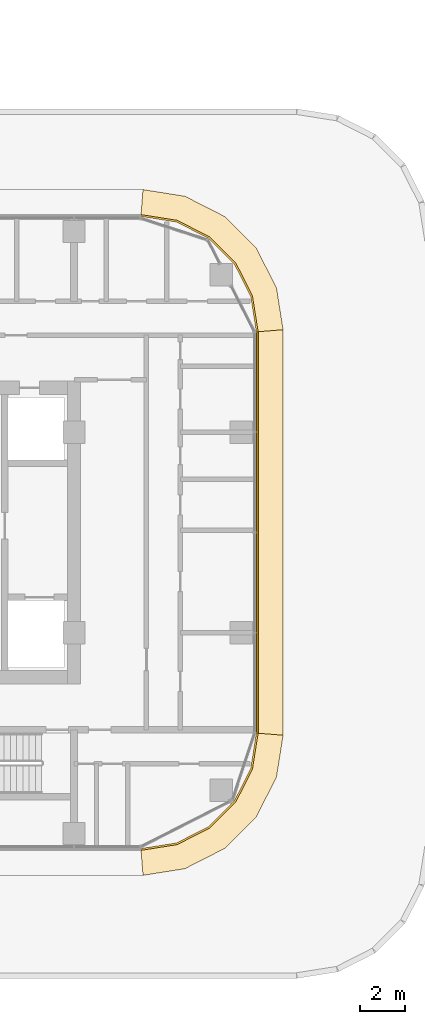
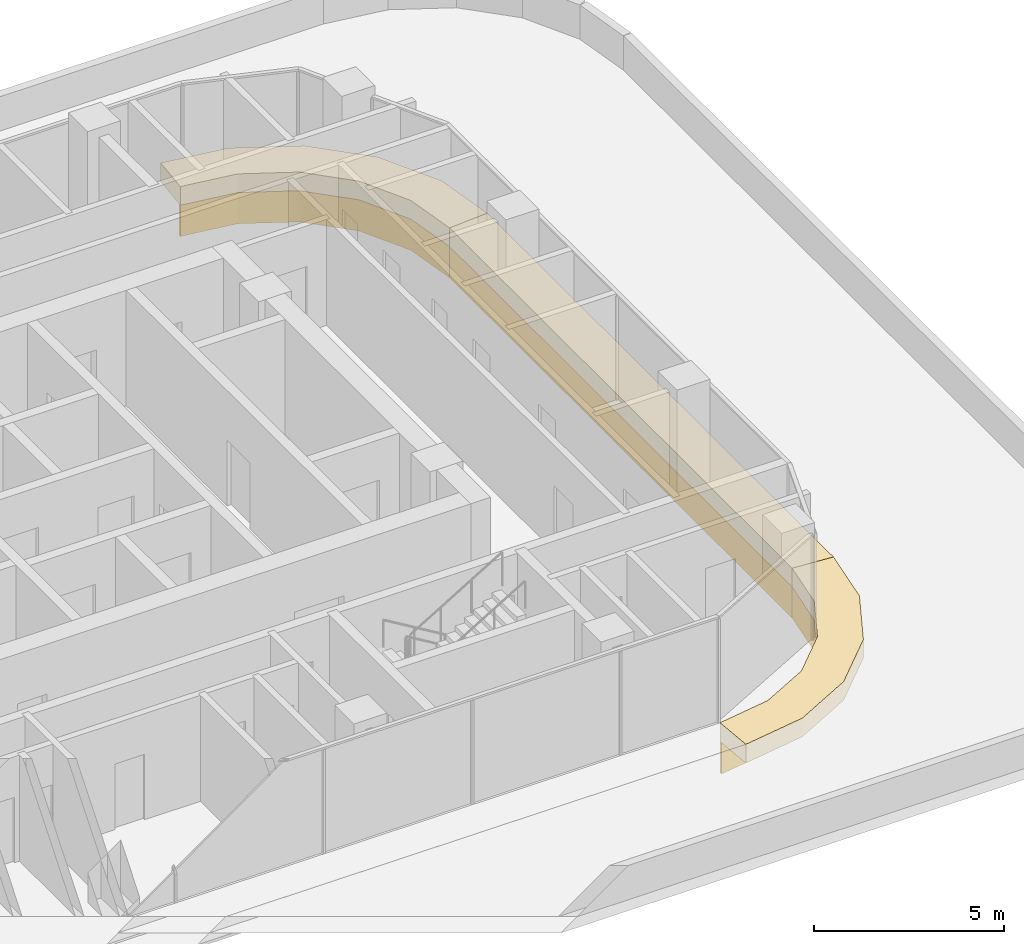
# One storey, part 47 of 51: 6 coverings.
"""IFC4 building model written with IfcOpenShell, lengths in metres."""

from ifc_helpers import new_model, si_unit, direction, frame, origin, place, context, subcontext, project, spatial, polyline, outline, extrude, material, layer, layer_set, type_object, element, save


model = new_model("IFC4")

# Units and contexts
model_context = context("Model", 3, precision=1e-05, world=origin(), true_north=direction((0.0, 1.0)))
body_context = subcontext(model_context, "Body", "Model", "MODEL_VIEW")
ifc_project = project(units=[si_unit("LENGTHUNIT", "METRE"), si_unit("AREAUNIT", "SQUARE_METRE"), si_unit("VOLUMEUNIT", "CUBIC_METRE"), si_unit("PLANEANGLEUNIT", "RADIAN"), si_unit("MASSUNIT", "GRAM", prefix="KILO")], contexts=[model_context])

# Site, building, storey
site_placement = place(None, origin())
site = spatial("IfcSite", under=ifc_project, at=site_placement, CompositionType="ELEMENT")
building_placement = place(site_placement, origin())
building = spatial("IfcBuilding", under=site, at=building_placement, Name="Ogive Portal Towers", CompositionType="ELEMENT")
storey_placement = place(building_placement, frame((0.0, 0.0, 33.5)))
storey = spatial("IfcBuildingStorey", under=building, at=storey_placement, Name="L06", CompositionType="ELEMENT", Elevation=33.5)

# Coverings
ifc_material = material(Name="Limestone cladding on lightweight block wall", Category="masonry")
ifc_layer_1 = layer(ifc_material, 0.080078125)
ifc_layer_set_1 = layer_set([ifc_layer_1], Name="STONE SPANDREL 80")
covering_type_1 = type_object("IfcCoveringType", Name="STONE SPANDREL 80", PredefinedType="CLADDING", material=ifc_layer_set_1)
covering_1_placement = place(storey_placement, frame((0.0, 0.0, -1.60009765625)))
element("IfcCovering", 1, at=covering_1_placement, inside=storey, type_object=covering_type_1, Name="Stone spandrel B1-F03", PredefinedType="CLADDING", context=body_context, shape_type="SweptSolid", body=[
    extrude(outline(polyline([(147.0, 16.820068359375), (148.600830078125, 17.073486328125), (150.044677734375, 17.809326171875), (151.190673828125, 18.955322265625), (151.926513671875, 20.399169921875), (152.179931640625, 22.0), (152.260009765625, 21.99365234375), (152.00341796875, 20.374267578125), (151.25634765625, 18.90771484375), (150.09228515625, 17.74365234375), (148.625732421875, 16.99658203125), (147.00634765625, 16.739990234375), (147.0, 16.820068359375)])), origin(), (0.0, 0.0, 1.0), 1.0),
])
covering_2_placement = place(storey_placement, frame((0.0, 0.0, -1.60009765625)))
element("IfcCovering", 2, at=covering_2_placement, inside=storey, type_object=covering_type_1, Name="Stone spandrel B1-F04", PredefinedType="CLADDING", context=body_context, shape_type="SweptSolid", body=[
    extrude(outline(polyline([(152.179931640625, 22.0), (152.179931640625, 40.0), (152.260009765625, 40.00634765625), (152.260009765625, 21.99365234375), (152.179931640625, 22.0)])), origin(), (0.0, 0.0, 1.0), 1.0),
])
covering_3_placement = place(storey_placement, frame((0.0, 0.0, -1.60009765625)))
element("IfcCovering", 3, at=covering_3_placement, inside=storey, type_object=covering_type_1, Name="Stone spandrel B1-F05", PredefinedType="CLADDING", context=body_context, shape_type="SweptSolid", body=[
    extrude(outline(polyline([(152.179931640625, 40.0), (151.926513671875, 41.600830078125), (151.190673828125, 43.044677734375), (150.044677734375, 44.190673828125), (148.600830078125, 44.926513671875), (147.0, 45.179931640625), (147.00634765625, 45.260009765625), (148.625732421875, 45.00341796875), (150.09228515625, 44.25634765625), (151.25634765625, 43.09228515625), (152.00341796875, 41.625732421875), (152.260009765625, 40.00634765625), (152.179931640625, 40.0)])), origin(), (0.0, 0.0, 1.0), 1.0),
])
ifc_layer_2 = layer(ifc_material, 0.60009765625)
ifc_layer_set_2 = layer_set([ifc_layer_2], Name="SUNSHADE LIP 600")
covering_type_2 = type_object("IfcCoveringType", Name="SUNSHADE LIP 600", PredefinedType="CLADDING", material=ifc_layer_set_2)
covering_4_placement = place(storey_placement, frame((0.0, 0.0, -0.60009765625)))
element("IfcCovering", 4, at=covering_4_placement, inside=storey, type_object=covering_type_2, Name="Sunshade lip B1-F03", PredefinedType="CLADDING", context=body_context, shape_type="SweptSolid", body=[
    extrude(outline(polyline([(147.0, 16.820068359375), (148.600830078125, 17.073486328125), (150.044677734375, 17.809326171875), (151.190673828125, 18.955322265625), (151.926513671875, 20.399169921875), (152.179931640625, 22.0), (153.3798828125, 21.905517578125), (153.08203125, 20.02392578125), (152.173583984375, 18.2412109375), (150.7587890625, 16.826416015625), (148.97607421875, 15.91796875), (147.094482421875, 15.6201171875), (147.0, 16.820068359375)])), origin(), (0.0, 0.0, 1.0), 0.60009765625),
])
covering_5_placement = place(storey_placement, frame((0.0, 0.0, -0.60009765625)))
element("IfcCovering", 5, at=covering_5_placement, inside=storey, type_object=covering_type_2, Name="Sunshade lip B1-F04", PredefinedType="CLADDING", context=body_context, shape_type="SweptSolid", body=[
    extrude(outline(polyline([(152.179931640625, 22.0), (152.179931640625, 40.0), (153.3798828125, 40.094482421875), (153.3798828125, 21.905517578125), (152.179931640625, 22.0)])), origin(), (0.0, 0.0, 1.0), 0.60009765625),
])
covering_6_placement = place(storey_placement, frame((0.0, 0.0, -0.60009765625)))
element("IfcCovering", 6, at=covering_6_placement, inside=storey, type_object=covering_type_2, Name="Sunshade lip B1-F05", PredefinedType="CLADDING", context=body_context, shape_type="SweptSolid", body=[
    extrude(outline(polyline([(152.179931640625, 40.0), (151.926513671875, 41.600830078125), (151.190673828125, 43.044677734375), (150.044677734375, 44.190673828125), (148.600830078125, 44.926513671875), (147.0, 45.179931640625), (147.094482421875, 46.3798828125), (148.97607421875, 46.08203125), (150.7587890625, 45.173583984375), (152.173583984375, 43.7587890625), (153.08203125, 41.97607421875), (153.3798828125, 40.094482421875), (152.179931640625, 40.0)])), origin(), (0.0, 0.0, 1.0), 0.60009765625),
])

save(model, "model.ifc")
